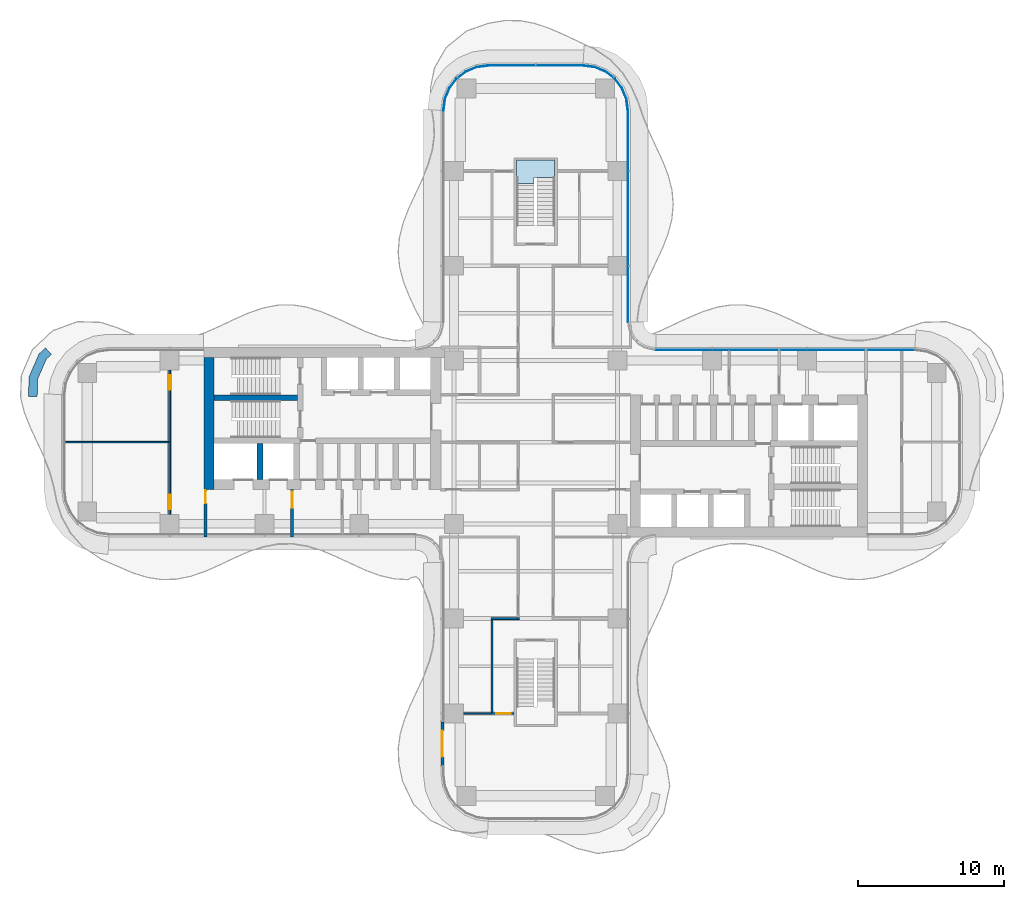
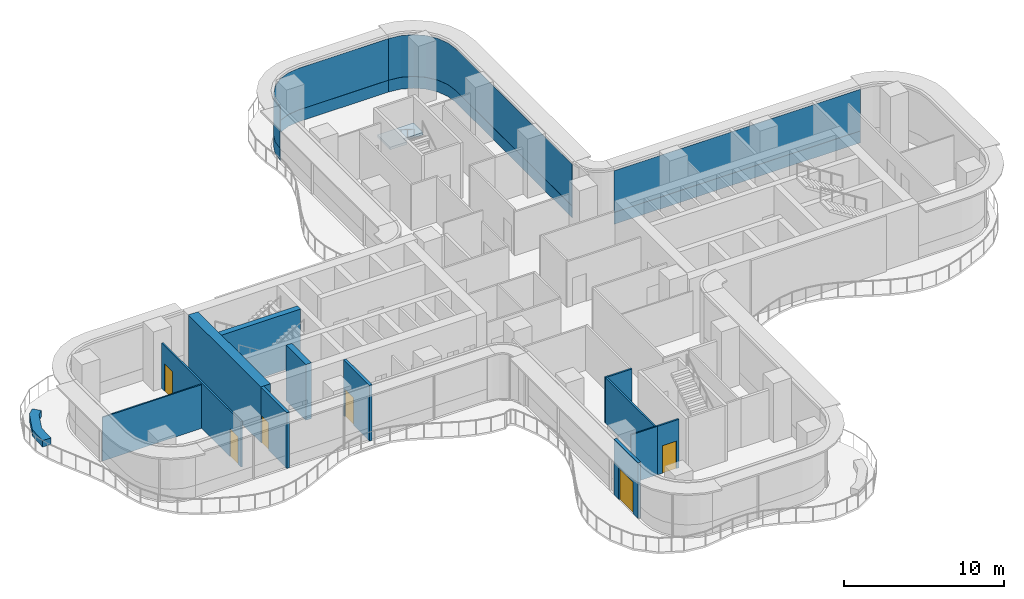
# One storey, part 14 of 20: 13 walls, 6 doors, 6 plates, 1 slab, 6 openings, 4 elements without a shape of their own.
"""IFC4 building model written with IfcOpenShell, lengths in metres."""

from ifc_helpers import new_model, si_unit, direction, frame, frame_2d, origin, place, context, subcontext, project, spatial, polyline, rectangle, outline, extrude, source, transform, mapped, material, layer, layer_set, type_object, element, fill, aggregate, save


model = new_model("IFC4")

# Units and contexts
model_context = context("Model", 3, precision=1e-05, world=origin(), true_north=direction((0.0, 1.0)))
body_context = subcontext(model_context, "Body", "Model", "MODEL_VIEW")
ifc_project = project(units=[si_unit("LENGTHUNIT", "METRE"), si_unit("AREAUNIT", "SQUARE_METRE"), si_unit("VOLUMEUNIT", "CUBIC_METRE"), si_unit("PLANEANGLEUNIT", "RADIAN"), si_unit("MASSUNIT", "GRAM", prefix="KILO")], contexts=[model_context])

# Site, building, storey
site_placement = place(None, origin())
site = spatial("IfcSite", under=ifc_project, at=site_placement, CompositionType="ELEMENT")
building_placement = place(site_placement, origin())
building = spatial("IfcBuilding", under=site, at=building_placement, Name="Trellis Farm Tower", CompositionType="ELEMENT")
storey_placement = place(building_placement, frame((0.0, 0.0, 142.5)))
storey = spatial("IfcBuildingStorey", under=building, at=storey_placement, Name="L30", CompositionType="ELEMENT", Elevation=142.5)

# Stair, slab
ifc_material_1 = material(Name="Concrete C50/60", Category="concrete")
stair_type = type_object("IfcStairType", Name="CORE EXIT STAIR 26 RISERS 173 MM", PredefinedType="HALF_TURN_STAIR", material=ifc_material_1)
placement_1 = place(storey_placement, origin())
stair = element("IfcStair", 1, at=placement_1, inside=storey, type_object=stair_type, Name="Exit stair N", PredefinedType="HALF_TURN_STAIR")
ifc_layer_1 = layer(ifc_material_1, 0.18994140625)
ifc_layer_set_1 = layer_set([ifc_layer_1], Name="CORE STAIR LANDING 190 CONCRETE C50/60")
slab_type = type_object("IfcSlabType", Name="CORE STAIR LANDING 190 CONCRETE C50/60", PredefinedType="LANDING", material=ifc_layer_set_1)
shared_shape_1 = source(origin(), body_context, "Body", "SweptSolid", [
    extrude(outline(polyline([(-0.10009765625, 17.753173828125), (-1.300048828125, 17.753173828125), (-1.300048828125, 18.14990234375), (-1.300048828125, 19.35009765625), (1.300048828125, 19.35009765625), (1.300048828125, 18.14990234375), (1.300048828125, 18.139892578125), (0.10009765625, 18.139892578125), (0.10009765625, 18.14990234375), (-0.10009765625, 18.14990234375), (-0.10009765625, 17.753173828125)])), origin(), (0.0, 0.0, 1.0), 0.18994140625),
])
slab_placement = place(storey_placement, frame((0.0, 0.0, 2.06005859375)))
slab = element("IfcSlab", 2, at=slab_placement, type_object=slab_type, Name="STN landing 1", PredefinedType="LANDING", context=body_context, shape_type="MappedRepresentation", body=[
    mapped(shared_shape_1, transform((0.0, 0.0, 0.0))),
])
aggregate(stair, [slab])

# Curtain wall, plates
ifc_material_2 = material(Name="Aluminium and glass curtain wall", Category="aluminium")
ifc_layer_2 = layer(ifc_material_2, 0.18994140625)
ifc_layer_set_2 = layer_set([ifc_layer_2], Name="RIBBON CURTAIN WALL CW1")
curtain_wall_type = type_object("IfcCurtainWallType", Name="RIBBON CURTAIN WALL CW1", PredefinedType="NOTDEFINED", material=ifc_layer_set_2)
curtain_wall_1 = element("IfcCurtainWall", 3, at=placement_1, inside=storey, type_object=curtain_wall_type, Name="CW1 009", PredefinedType="NOTDEFINED")
ifc_material_3 = material(Name="Clear insulated glass", Category="glass")
ifc_layer_3 = layer(ifc_material_3, 0.0400390625)
ifc_layer_set_3 = layer_set([ifc_layer_3], Name="CW1 GLASS PANEL 40")
plate_type_1 = type_object("IfcPlateType", Name="CW1 GLASS PANEL 40", PredefinedType="CURTAIN_PANEL", material=ifc_layer_set_3)
shared_shape_2 = source(origin(), body_context, "Body", "SweptSolid", [
    extrude(outline(polyline([(6.35009765625, 8.2265625), (6.35009765625, 22.740234375), (6.2431640625, 23.552001953125), (5.93359375, 24.29931640625), (5.441162109375, 24.941162109375), (4.79931640625, 25.43359375), (4.052001953125, 25.7431640625), (3.240234375, 25.85009765625), (3.237548828125, 25.81005859375), (4.04150390625, 25.7041015625), (4.779296875, 25.398681640625), (5.41259765625, 24.91259765625), (5.898681640625, 24.279296875), (6.2041015625, 23.54150390625), (6.31005859375, 22.737548828125), (6.31005859375, 8.22509765625), (6.35009765625, 8.2265625)])), origin(), (0.0, 0.0, 1.0), 3.170166015625),
])
placement_2 = place(storey_placement, frame((0.0, 0.0, 0.89990234375)))
plate_1 = element("IfcPlate", 4, at=placement_2, type_object=plate_type_1, Name="PL1 009", PredefinedType="CURTAIN_PANEL", context=body_context, shape_type="MappedRepresentation", body=[
    mapped(shared_shape_2, transform((0.0, 0.0, 0.0))),
])
ifc_material_4 = material(Name="Sandstone faced insulated panel", Category="masonry")
ifc_layer_4 = layer(ifc_material_4, 0.050048828125)
ifc_layer_set_4 = layer_set([ifc_layer_4], Name="CW1 STONE SPANDREL PANEL 50")
plate_type_2 = type_object("IfcPlateType", Name="CW1 STONE SPANDREL PANEL 50", PredefinedType="CURTAIN_PANEL", material=ifc_layer_set_4)
shared_shape_3 = source(origin(), body_context, "Body", "SweptSolid", [
    extrude(outline(polyline([(6.35009765625, 8.2265625), (6.35009765625, 22.740234375), (6.2431640625, 23.552001953125), (5.93359375, 24.29931640625), (5.441162109375, 24.941162109375), (4.79931640625, 25.43359375), (4.052001953125, 25.7431640625), (3.240234375, 25.85009765625), (3.23681640625, 25.800048828125), (4.0390625, 25.6943359375), (4.774169921875, 25.389892578125), (5.405517578125, 24.905517578125), (5.889892578125, 24.274169921875), (6.1943359375, 23.5390625), (6.300048828125, 22.73681640625), (6.300048828125, 8.224853515625), (6.35009765625, 8.2265625)])), origin(), (0.0, 0.0, 1.0), 0.89990234375),
])
plate_2 = element("IfcPlate", 5, at=placement_1, type_object=plate_type_2, Name="PS1 009", PredefinedType="CURTAIN_PANEL", context=body_context, shape_type="MappedRepresentation", body=[
    mapped(shared_shape_3, transform((0.0, 0.0, 0.0))),
])
aggregate(curtain_wall_1, [plate_1, plate_2])

curtain_wall_2 = element("IfcCurtainWall", 6, at=placement_1, inside=storey, type_object=curtain_wall_type, Name="CW1 010", PredefinedType="NOTDEFINED")
shared_shape_4 = source(origin(), body_context, "Body", "SweptSolid", [
    extrude(outline(polyline([(3.240234375, 25.85009765625), (-3.240234375, 25.85009765625), (-4.052001953125, 25.7431640625), (-4.79931640625, 25.43359375), (-5.441162109375, 24.941162109375), (-5.93359375, 24.29931640625), (-6.2431640625, 23.552001953125), (-6.35009765625, 22.740234375), (-6.31005859375, 22.737548828125), (-6.2041015625, 23.54150390625), (-5.898681640625, 24.279296875), (-5.41259765625, 24.91259765625), (-4.779296875, 25.398681640625), (-4.04150390625, 25.7041015625), (-3.237548828125, 25.81005859375), (3.237548828125, 25.81005859375), (3.240234375, 25.85009765625)])), origin(), (0.0, 0.0, 1.0), 3.170166015625),
])
plate_3 = element("IfcPlate", 7, at=placement_2, type_object=plate_type_1, Name="PL1 010", PredefinedType="CURTAIN_PANEL", context=body_context, shape_type="MappedRepresentation", body=[
    mapped(shared_shape_4, transform((0.0, 0.0, 0.0))),
])
shared_shape_5 = source(origin(), body_context, "Body", "SweptSolid", [
    extrude(outline(polyline([(3.240234375, 25.85009765625), (-3.240234375, 25.85009765625), (-4.052001953125, 25.7431640625), (-4.79931640625, 25.43359375), (-5.441162109375, 24.941162109375), (-5.93359375, 24.29931640625), (-6.2431640625, 23.552001953125), (-6.35009765625, 22.740234375), (-6.300048828125, 22.73681640625), (-6.1943359375, 23.5390625), (-5.889892578125, 24.274169921875), (-5.405517578125, 24.905517578125), (-4.774169921875, 25.389892578125), (-4.0390625, 25.6943359375), (-3.23681640625, 25.800048828125), (3.23681640625, 25.800048828125), (3.240234375, 25.85009765625)])), origin(), (0.0, 0.0, 1.0), 0.89990234375),
])
plate_4 = element("IfcPlate", 8, at=placement_1, type_object=plate_type_2, Name="PS1 010", PredefinedType="CURTAIN_PANEL", context=body_context, shape_type="MappedRepresentation", body=[
    mapped(shared_shape_5, transform((0.0, 0.0, 0.0))),
])
aggregate(curtain_wall_2, [plate_3, plate_4])

curtain_wall_3 = element("IfcCurtainWall", 9, at=placement_1, inside=storey, type_object=curtain_wall_type, Name="CW1 008", PredefinedType="NOTDEFINED")
shared_shape_6 = source(origin(), body_context, "Body", "SweptSolid", [
    extrude(outline(polyline([(25.990234375, 6.35009765625), (8.2265625, 6.35009765625), (8.22509765625, 6.31005859375), (25.987548828125, 6.31005859375), (25.990234375, 6.35009765625)])), origin(), (0.0, 0.0, 1.0), 3.170166015625),
])
plate_5 = element("IfcPlate", 10, at=placement_2, type_object=plate_type_1, Name="PL1 008", PredefinedType="CURTAIN_PANEL", context=body_context, shape_type="MappedRepresentation", body=[
    mapped(shared_shape_6, transform((0.0, 0.0, 0.0))),
])
shared_shape_7 = source(origin(), body_context, "Body", "SweptSolid", [
    extrude(outline(polyline([(25.990234375, 6.35009765625), (8.2265625, 6.35009765625), (8.224853515625, 6.300048828125), (25.98681640625, 6.300048828125), (25.990234375, 6.35009765625)])), origin(), (0.0, 0.0, 1.0), 0.89990234375),
])
plate_6 = element("IfcPlate", 11, at=placement_1, type_object=plate_type_2, Name="PS1 008", PredefinedType="CURTAIN_PANEL", context=body_context, shape_type="MappedRepresentation", body=[
    mapped(shared_shape_7, transform((0.0, 0.0, 0.0))),
])
aggregate(curtain_wall_3, [plate_5, plate_6])

# Walls
ifc_material_5 = material(Name="Sandstone faced masonry planter", Category="masonry")
ifc_layer_5 = layer(ifc_material_5, 0.60009765625)
ifc_layer_set_5 = layer_set([ifc_layer_5], Name="PLANTER BED 600")
wall_type_1 = type_object("IfcWallType", Name="PLANTER BED 600", PredefinedType="USERDEFINED", material=ifc_layer_set_5)
element("IfcWall", 12, at=placement_1, inside=storey, type_object=wall_type_1, Name="PLANTER bed", ObjectType="PLANTER", PredefinedType="USERDEFINED", context=body_context, shape_type="SweptSolid", body=[
    extrude(outline(polyline([(-34.053466796875, 6.05908203125), (-33.61181640625, 6.465087890625), (-33.205810546875, 6.023193359375), (-33.553955078125, 5.703369140625), (-34.143798828125, 4.347412109375), (-34.18408203125, 3.126708984375), (-34.78369140625, 3.146484375), (-34.739501953125, 4.481689453125), (-34.053466796875, 6.05908203125)])), origin(), (0.0, 0.0, 1.0), 0.5),
])
ifc_material_6 = material(Name="Concrete C70/85", Category="concrete")
ifc_layer_6 = layer(ifc_material_6, 0.699951171875)
ifc_layer_set_6 = layer_set([ifc_layer_6], Name="CORE OUTER WALL 700 CONCRETE C70/85")
wall_type_2 = type_object("IfcWallType", Name="CORE OUTER WALL 700 CONCRETE C70/85", PredefinedType="SHEAR", material=ifc_layer_set_6)
shared_shape_8 = source(origin(), body_context, "Body", "SweptSolid", [
    extrude(rectangle(XDim=9.050048828125, YDim=0.699951171875, at=frame_2d((4.52490234375, 0.0))), origin(), (0.0, 0.0, 1.0), 4.25),
])
wall_2_placement = place(storey_placement, frame((-22.39990234375, 5.800048828125, 0.0), z_axis=(0.0, 0.0, 1.0), x_axis=(0.0, -1.0, 0.0)))
element("IfcWall", 13, at=wall_2_placement, inside=storey, type_object=wall_type_2, Name="Core wall", PredefinedType="SHEAR", context=body_context, shape_type="MappedRepresentation", body=[
    mapped(shared_shape_8, transform((0.0, 0.0, 0.0))),
])
ifc_layer_7 = layer(ifc_material_6, 0.39990234375)
ifc_layer_set_7 = layer_set([ifc_layer_7], Name="CORE INNER WALL 400 CONCRETE C70/85")
wall_type_3 = type_object("IfcWallType", Name="CORE INNER WALL 400 CONCRETE C70/85", PredefinedType="SHEAR", material=ifc_layer_set_7)
shared_shape_9 = source(origin(), body_context, "Body", "SweptSolid", [
    extrude(rectangle(XDim=2.449951171875, YDim=0.39990234375, at=frame_2d((1.22509765625, 0.0))), origin(), (0.0, 0.0, 1.0), 4.25),
])
wall_3_placement = place(storey_placement, frame((-18.89990234375, -0.10009765625, 0.0), z_axis=(0.0, 0.0, 1.0), x_axis=(0.0, -1.0, 0.0)))
element("IfcWall", 14, at=wall_3_placement, inside=storey, type_object=wall_type_3, Name="Core wall", PredefinedType="SHEAR", context=body_context, shape_type="MappedRepresentation", body=[
    mapped(shared_shape_9, transform((0.0, 0.0, 0.0))),
])

# Wall, opening, door
ifc_material_7 = material(Name="Masonry blockwork", Category="masonry")
ifc_layer_8 = layer(ifc_material_7, 0.199951171875)
ifc_layer_set_8 = layer_set([ifc_layer_8], Name="FIRE LOBBY PARTITION 200 BLOCKWORK")
wall_type_4 = type_object("IfcWallType", Name="FIRE LOBBY PARTITION 200 BLOCKWORK", PredefinedType="PARTITIONING", material=ifc_layer_set_8)
shared_shape_10 = source(origin(), body_context, "Body", "SweptSolid", [
    extrude(rectangle(XDim=3.25, YDim=0.199951171875, at=frame_2d((1.625, 0.0))), origin(), (0.0, 0.0, 1.0), 4.25),
])
wall_4_placement = place(storey_placement, frame((-16.699951171875, -3.25, 0.0), z_axis=(0.0, 0.0, 1.0), x_axis=(0.0, -1.0, 0.0)))
wall_4 = element("IfcWall", 15, at=wall_4_placement, inside=storey, type_object=wall_type_4, Name="Fire-fighting lobby partition", PredefinedType="PARTITIONING", context=body_context, shape_type="MappedRepresentation", body=[
    mapped(shared_shape_10, transform((0.0, 0.0, 0.0))),
])
shared_shape_11 = source(origin(), body_context, "Body", "SweptSolid", [
    extrude(rectangle(XDim=1.10009765625, YDim=2.10009765625, at=frame_2d((0.550048828125, 1.050048828125))), frame((0.0, 0.110107421875, 0.0), z_axis=(0.0, -1.0, 0.0), x_axis=(1.0, 0.0, 0.0)), (0.0, 0.0, 1.0), 0.22021484375),
])
opening_1_placement = place(wall_4_placement, frame((0.14990234375, 0.0, 0.0)))
opening_1 = element("IfcOpeningElement", 16, at=opening_1_placement, cuts=wall_4, Name="Opening DC93", PredefinedType="OPENING", context=body_context, shape_type="MappedRepresentation", body=[
    mapped(shared_shape_11, transform((0.0, 0.0, 0.0))),
])
ifc_material_8 = material(Name="Steel", Category="steel")
door_type_1 = type_object("IfcDoorType", Name="CORE FIRE DOOR 1100 X 2100", OperationType="NOTDEFINED", PredefinedType="DOOR", material=ifc_material_8)
shared_shape_12 = source(origin(), body_context, "Body", "SweptSolid", [
    extrude(rectangle(XDim=1.10009765625, YDim=2.10009765625, at=frame_2d((0.550048828125, 1.050048828125))), frame((0.0, 0.02490234375, 0.0), z_axis=(0.0, -1.0, 0.0), x_axis=(1.0, 0.0, 0.0)), (0.0, 0.0, 1.0), 0.050048828125),
])
door_1_placement = place(opening_1_placement, origin())
door_1 = element("IfcDoor", 17, at=door_1_placement, inside=storey, type_object=door_type_1, Name="Core door", OperationType="SINGLE_SWING_RIGHT", OverallHeight=2.10009765625, OverallWidth=1.10009765625, PredefinedType="DOOR", context=body_context, shape_type="MappedRepresentation", body=[
    mapped(shared_shape_12, transform((0.0, 0.0, 0.0))),
])
fill(opening_1, door_1)

wall_5_placement = place(storey_placement, frame((-22.64990234375, -3.25, 0.0), z_axis=(0.0, 0.0, 1.0), x_axis=(0.0, -1.0, 0.0)))
wall_5 = element("IfcWall", 18, at=wall_5_placement, inside=storey, type_object=wall_type_4, Name="Fire-fighting lobby partition", PredefinedType="PARTITIONING", context=body_context, shape_type="MappedRepresentation", body=[
    mapped(shared_shape_10, transform((0.0, 0.0, 0.0))),
])
shared_shape_13 = source(origin(), body_context, "Body", "SweptSolid", [
    extrude(rectangle(XDim=0.89990234375, YDim=2.10009765625, at=frame_2d((0.449951171875, 1.050048828125))), frame((0.0, 0.110107421875, 0.0), z_axis=(0.0, -1.0, 0.0), x_axis=(1.0, 0.0, 0.0)), (0.0, 0.0, 1.0), 0.22021484375),
])
opening_2_placement = place(wall_5_placement, frame((0.050048828125, 0.0, 0.0)))
opening_2 = element("IfcOpeningElement", 19, at=opening_2_placement, cuts=wall_5, Name="Opening DC94", PredefinedType="OPENING", context=body_context, shape_type="MappedRepresentation", body=[
    mapped(shared_shape_13, transform((0.0, 0.0, 0.0))),
])
door_type_2 = type_object("IfcDoorType", Name="CORE FIRE DOOR 900 X 2100", OperationType="NOTDEFINED", PredefinedType="DOOR", material=ifc_material_8)
shared_shape_14 = source(origin(), body_context, "Body", "SweptSolid", [
    extrude(rectangle(XDim=0.89990234375, YDim=2.10009765625, at=frame_2d((0.449951171875, 1.050048828125))), frame((0.0, 0.02490234375, 0.0), z_axis=(0.0, -1.0, 0.0), x_axis=(1.0, 0.0, 0.0)), (0.0, 0.0, 1.0), 0.050048828125),
])
door_2_placement = place(opening_2_placement, origin())
door_2 = element("IfcDoor", 20, at=door_2_placement, inside=storey, type_object=door_type_2, Name="Core door", OperationType="SINGLE_SWING_RIGHT", OverallHeight=2.10009765625, OverallWidth=0.89990234375, PredefinedType="DOOR", context=body_context, shape_type="MappedRepresentation", body=[
    mapped(shared_shape_14, transform((0.0, 0.0, 0.0))),
])
fill(opening_2, door_2)

# Wall
shared_shape_15 = source(origin(), body_context, "Body", "SweptSolid", [
    extrude(rectangle(XDim=5.699951171875, YDim=0.39990234375, at=frame_2d((2.85009765625, 0.0))), origin(), (0.0, 0.0, 1.0), 4.25),
])
wall_6_placement = place(storey_placement, frame((-16.35009765625, 3.050048828125, 0.0), z_axis=(0.0, 0.0, 1.0), x_axis=(-1.0, 0.0, 0.0)))
element("IfcWall", 21, at=wall_6_placement, inside=storey, type_object=wall_type_3, Name="Core wall", PredefinedType="SHEAR", context=body_context, shape_type="MappedRepresentation", body=[
    mapped(shared_shape_15, transform((0.0, 0.0, 0.0))),
])

# Wall, opening, door
ifc_material_9 = material(Name="Sandstone faced insulated wall", Category="masonry")
ifc_layer_9 = layer(ifc_material_9, 0.199951171875)
ifc_layer_set_9 = layer_set([ifc_layer_9], Name="EXTERNAL INFILL WALL 200")
wall_type_5 = type_object("IfcWallType", Name="EXTERNAL INFILL WALL 200", PredefinedType="SOLIDWALL", material=ifc_layer_set_9)
shared_shape_16 = source(origin(), body_context, "Body", "SweptSolid", [
    extrude(rectangle(XDim=3.0, YDim=0.199951171875, at=frame_2d((1.5, 0.0))), origin(), (0.0, 0.0, 1.0), 4.25),
])
wall_7_placement = place(storey_placement, frame((-6.39990234375, -19.175048828125, 0.0), z_axis=(0.0, 0.0, 1.0), x_axis=(0.0, -1.0, 0.0)))
wall_7 = element("IfcWall", 22, at=wall_7_placement, inside=storey, type_object=wall_type_5, Name="EW1 01", PredefinedType="SOLIDWALL", context=body_context, shape_type="MappedRepresentation", body=[
    mapped(shared_shape_16, transform((0.0, 0.0, 0.0))),
])
shared_shape_17 = source(origin(), body_context, "Body", "SweptSolid", [
    extrude(rectangle(XDim=1.800048828125, YDim=2.39990234375, at=frame_2d((0.89990234375, 1.199951171875))), frame((0.0, 0.110107421875, 0.0), z_axis=(0.0, -1.0, 0.0), x_axis=(1.0, 0.0, 0.0)), (0.0, 0.0, 1.0), 0.22021484375),
])
opening_3_placement = place(wall_7_placement, frame((0.60009765625, 0.0, 0.0)))
opening_3 = element("IfcOpeningElement", 23, at=opening_3_placement, cuts=wall_7, Name="Opening ED1", PredefinedType="OPENING", context=body_context, shape_type="MappedRepresentation", body=[
    mapped(shared_shape_17, transform((0.0, 0.0, 0.0))),
])
ifc_material_10 = material(Name="Aluminium framed glazed door", Category="aluminium")
door_type_3 = type_object("IfcDoorType", Name="BALCONY DOOR 1800x2400", OperationType="DOUBLE_DOOR_SINGLE_SWING", PredefinedType="DOOR", material=ifc_material_10)
shared_shape_18 = source(origin(), body_context, "Body", "SweptSolid", [
    extrude(rectangle(XDim=1.800048828125, YDim=2.39990234375, at=frame_2d((0.89990234375, 1.199951171875))), frame((0.0, 0.02490234375, 0.0), z_axis=(0.0, -1.0, 0.0), x_axis=(1.0, 0.0, 0.0)), (0.0, 0.0, 1.0), 0.050048828125),
])
door_3_placement = place(opening_3_placement, origin())
door_3 = element("IfcDoor", 24, at=door_3_placement, inside=storey, type_object=door_type_3, Name="Balcony door", OperationType="DOUBLE_DOOR_SINGLE_SWING", OverallHeight=2.39990234375, OverallWidth=1.800048828125, PredefinedType="DOOR", context=body_context, shape_type="MappedRepresentation", body=[
    mapped(shared_shape_18, transform((0.0, 0.0, 0.0))),
])
fill(opening_3, door_3)

# Walls
ifc_material_11 = material(Name="Plasterboard on steel studs, mineral wool", Category="steel")
ifc_layer_10 = layer(ifc_material_11, 0.125)
ifc_layer_set_10 = layer_set([ifc_layer_10], Name="PARTITION 125 STUD EI 60")
wall_type_6 = type_object("IfcWallType", Name="PARTITION 125 STUD EI 60", PredefinedType="PARTITIONING", material=ifc_layer_set_10)
shared_shape_19 = source(origin(), body_context, "Body", "SweptSolid", [
    extrude(rectangle(XDim=1.925048828125, YDim=0.125, at=frame_2d((0.96240234375, 0.0))), origin(), (0.0, 0.0, 1.0), 3.4677734375),
])
wall_8_placement = place(storey_placement, frame((-3.0625, -12.10009765625, 0.0), z_axis=(0.0, 0.0, 1.0), x_axis=(1.0, 0.0, 0.0)))
element("IfcWall", 25, at=wall_8_placement, inside=storey, type_object=wall_type_6, Name="Partition PW1", PredefinedType="PARTITIONING", context=body_context, shape_type="MappedRepresentation", body=[
    mapped(shared_shape_19, transform((0.0, 0.0, 0.0))),
])
ifc_material_12 = material(Name="Plasterboard on steel studs", Category="steel")
ifc_layer_11 = layer(ifc_material_12, 0.10009765625)
ifc_layer_set_11 = layer_set([ifc_layer_11], Name="PARTITION 100 STUD EI 30")
wall_type_7 = type_object("IfcWallType", Name="PARTITION 100 STUD EI 30", PredefinedType="PARTITIONING", material=ifc_layer_set_11)
shared_shape_20 = source(origin(), body_context, "Body", "SweptSolid", [
    extrude(rectangle(XDim=7.137451171875, YDim=0.10009765625, at=frame_2d((3.56884765625, 0.0))), origin(), (0.0, 0.0, 1.0), 3.330078125),
])
wall_9_placement = place(storey_placement, frame((-32.300048828125, 0.0, 0.0), z_axis=(0.0, 0.0, 1.0), x_axis=(1.0, 0.0, 0.0)))
element("IfcWall", 26, at=wall_9_placement, inside=storey, type_object=wall_type_7, Name="Partition PW2", PredefinedType="PARTITIONING", context=body_context, shape_type="MappedRepresentation", body=[
    mapped(shared_shape_20, transform((0.0, 0.0, 0.0))),
])

# Wall, opening, door
shared_shape_21 = source(origin(), body_context, "Body", "SweptSolid", [
    extrude(rectangle(XDim=1.5625, YDim=0.125, at=frame_2d((0.78125, 0.0))), origin(), (0.0, 0.0, 1.0), 3.697021484375),
])
wall_10_placement = place(storey_placement, frame((-1.5, -18.60009765625, 0.0), z_axis=(0.0, 0.0, 1.0), x_axis=(-1.0, 0.0, 0.0)))
wall_10 = element("IfcWall", 27, at=wall_10_placement, inside=storey, type_object=wall_type_6, Name="Partition PW1", PredefinedType="PARTITIONING", context=body_context, shape_type="MappedRepresentation", body=[
    mapped(shared_shape_21, transform((0.0, 0.0, 0.0))),
])
shared_shape_22 = source(origin(), body_context, "Body", "SweptSolid", [
    extrude(rectangle(XDim=1.0, YDim=2.10009765625, at=frame_2d((0.5, 1.050048828125))), frame((0.0, 0.072509765625, 0.0), z_axis=(0.0, -1.0, 0.0), x_axis=(1.0, 0.0, 0.0)), (0.0, 0.0, 1.0), 0.14501953125),
])
opening_4_placement = place(wall_10_placement, frame((0.199951171875, 0.0, 0.0)))
opening_4 = element("IfcOpeningElement", 28, at=opening_4_placement, cuts=wall_10, Name="Opening D101", PredefinedType="OPENING", context=body_context, shape_type="MappedRepresentation", body=[
    mapped(shared_shape_22, transform((0.0, 0.0, 0.0))),
])
ifc_material_13 = material(Name="Fire-rated timber door leaf in a hollow metal frame", Category="wood")
door_type_4 = type_object("IfcDoorType", Name="DOOR 1000x2100 FD30S", OperationType="NOTDEFINED", PredefinedType="DOOR", material=ifc_material_13)
shared_shape_23 = source(origin(), body_context, "Body", "SweptSolid", [
    extrude(rectangle(XDim=1.0, YDim=2.10009765625, at=frame_2d((0.5, 1.050048828125))), frame((0.0, 0.02490234375, 0.0), z_axis=(0.0, -1.0, 0.0), x_axis=(1.0, 0.0, 0.0)), (0.0, 0.0, 1.0), 0.050048828125),
])
door_4_placement = place(opening_4_placement, origin())
door_4 = element("IfcDoor", 29, at=door_4_placement, inside=storey, type_object=door_type_4, Name="Door D101", OperationType="SINGLE_SWING_LEFT", OverallHeight=2.10009765625, OverallWidth=1.0, PredefinedType="DOOR", context=body_context, shape_type="MappedRepresentation", body=[
    mapped(shared_shape_23, transform((0.0, 0.0, 0.0))),
])
fill(opening_4, door_4)

# Walls
shared_shape_24 = source(origin(), body_context, "Body", "SweptSolid", [
    extrude(rectangle(XDim=6.387451171875, YDim=0.125, at=frame_2d((3.19384765625, 0.0))), origin(), (0.0, 0.0, 1.0), 3.4677734375),
])
wall_11_placement = place(storey_placement, frame((-3.0, -18.550048828125, 0.0), z_axis=(0.0, 0.0, 1.0), x_axis=(0.0, 1.0, 0.0)))
element("IfcWall", 30, at=wall_11_placement, inside=storey, type_object=wall_type_6, Name="Partition PW1", PredefinedType="PARTITIONING", context=body_context, shape_type="MappedRepresentation", body=[
    mapped(shared_shape_24, transform((0.0, 0.0, 0.0))),
])
shared_shape_25 = source(origin(), body_context, "Body", "SweptSolid", [
    extrude(rectangle(XDim=2.012451171875, YDim=0.10009765625, at=frame_2d((1.00634765625, 0.0))), origin(), (0.0, 0.0, 1.0), 3.697021484375),
])
wall_12_placement = place(storey_placement, frame((-4.949951171875, -18.60009765625, 0.0), z_axis=(0.0, 0.0, 1.0), x_axis=(1.0, 0.0, 0.0)))
element("IfcWall", 31, at=wall_12_placement, inside=storey, type_object=wall_type_7, Name="Partition PW2", PredefinedType="PARTITIONING", context=body_context, shape_type="MappedRepresentation", body=[
    mapped(shared_shape_25, transform((0.0, 0.0, 0.0))),
])

# Wall, openings, doors
shared_shape_26 = source(origin(), body_context, "Body", "SweptSolid", [
    extrude(rectangle(XDim=9.89990234375, YDim=0.125, at=frame_2d((4.949951171875, 0.0))), origin(), (0.0, 0.0, 1.0), 3.4677734375),
])
wall_13_placement = place(storey_placement, frame((-25.10009765625, -4.949951171875, 0.0), z_axis=(0.0, 0.0, 1.0), x_axis=(0.0, 1.0, 0.0)))
wall_13 = element("IfcWall", 32, at=wall_13_placement, inside=storey, type_object=wall_type_6, Name="Partition PW1", PredefinedType="PARTITIONING", context=body_context, shape_type="MappedRepresentation", body=[
    mapped(shared_shape_26, transform((0.0, 0.0, 0.0))),
])
opening_5_placement = place(wall_13_placement, frame((0.35009765625, 0.0, 0.0)))
opening_5 = element("IfcOpeningElement", 33, at=opening_5_placement, cuts=wall_13, Name="Opening D104", PredefinedType="OPENING", context=body_context, shape_type="MappedRepresentation", body=[
    mapped(shared_shape_22, transform((0.0, 0.0, 0.0))),
])
opening_6_placement = place(wall_13_placement, frame((8.550048828125, 0.0, 0.0)))
opening_6 = element("IfcOpeningElement", 34, at=opening_6_placement, cuts=wall_13, Name="Opening D110", PredefinedType="OPENING", context=body_context, shape_type="MappedRepresentation", body=[
    mapped(shared_shape_22, transform((0.0, 0.0, 0.0))),
])
door_5_placement = place(opening_5_placement, origin())
door_5 = element("IfcDoor", 35, at=door_5_placement, inside=storey, type_object=door_type_4, Name="Door D104", OperationType="SINGLE_SWING_LEFT", OverallHeight=2.10009765625, OverallWidth=1.0, PredefinedType="DOOR", context=body_context, shape_type="MappedRepresentation", body=[
    mapped(shared_shape_23, transform((0.0, 0.0, 0.0))),
])
fill(opening_5, door_5)
door_6_placement = place(opening_6_placement, origin())
door_6 = element("IfcDoor", 36, at=door_6_placement, inside=storey, type_object=door_type_4, Name="Door D110", OperationType="SINGLE_SWING_RIGHT", OverallHeight=2.10009765625, OverallWidth=1.0, PredefinedType="DOOR", context=body_context, shape_type="MappedRepresentation", body=[
    mapped(shared_shape_23, transform((0.0, 0.0, 0.0))),
])
fill(opening_6, door_6)

save(model, "model.ifc")
